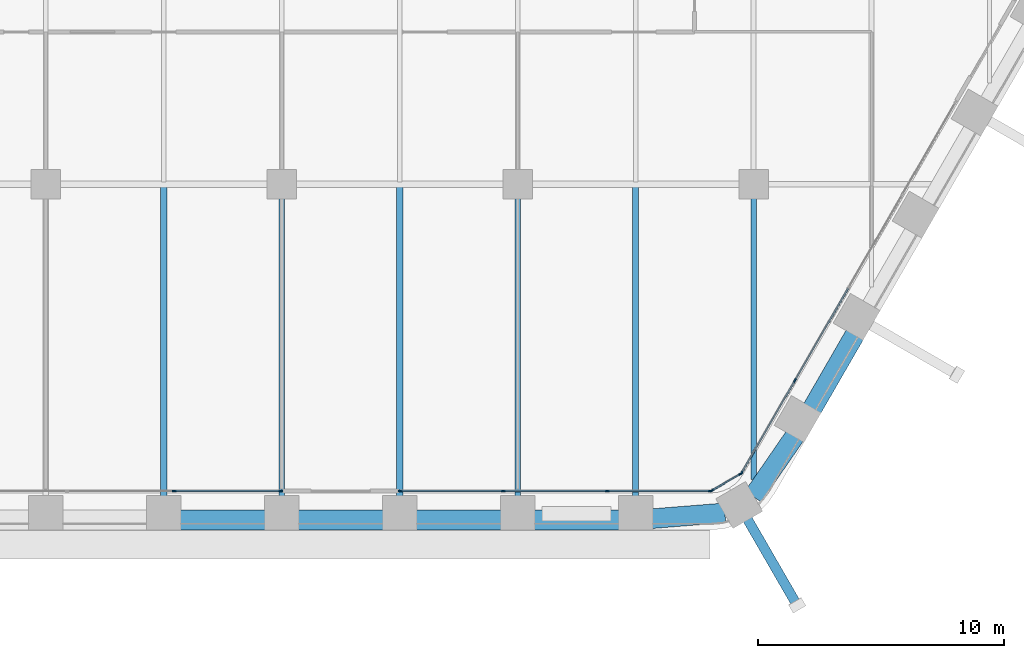
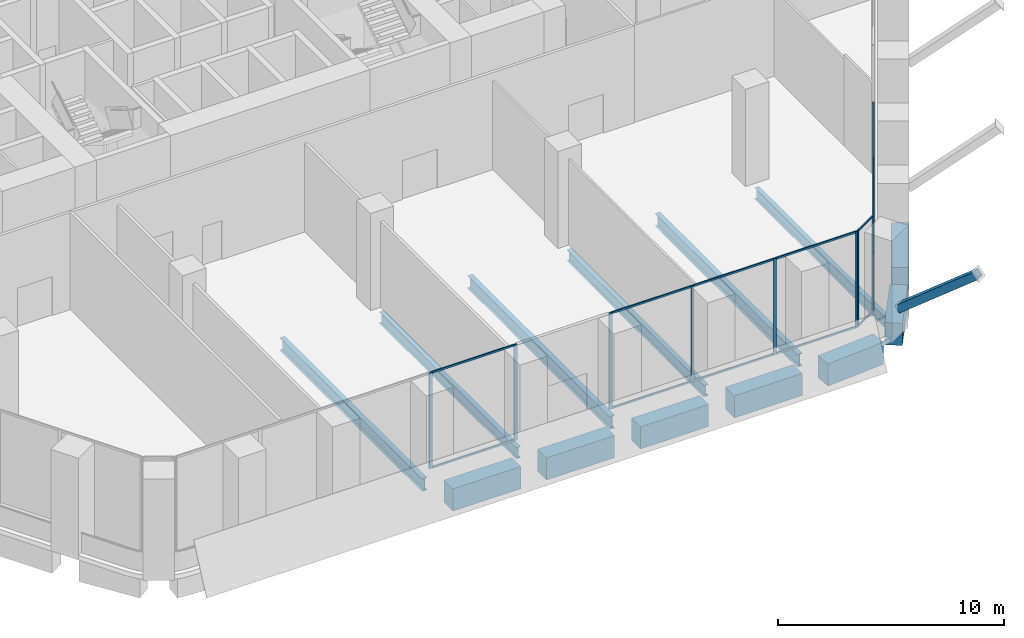
# One storey, part 4 of 29: 25 members, 13 beams, 4 elements without a shape of their own.
"""IFC4 building model written with IfcOpenShell, lengths in metres."""

from ifc_helpers import new_model, si_unit, direction, frame, origin, origin_2d, place, context, subcontext, project, spatial, rectangle, hollow_rectangle, i_section, extrude, material, material_profile, profile_set, type_object, element, aggregate, save


model = new_model("IFC4")

# Units and contexts
model_context = context("Model", 3, precision=1e-05, world=origin(), true_north=direction((0.0, 1.0)))
body_context = subcontext(model_context, "Body", "Model", "MODEL_VIEW")
ifc_project = project(units=[si_unit("LENGTHUNIT", "METRE"), si_unit("AREAUNIT", "SQUARE_METRE"), si_unit("VOLUMEUNIT", "CUBIC_METRE"), si_unit("PLANEANGLEUNIT", "RADIAN"), si_unit("MASSUNIT", "GRAM", prefix="KILO")], contexts=[model_context])

# Site, building, storey
site_placement = place(None, origin())
site = spatial("IfcSite", under=ifc_project, at=site_placement, CompositionType="ELEMENT")
building_placement = place(site_placement, origin())
building = spatial("IfcBuilding", under=site, at=building_placement, Name="Kolab Exchange Tower", CompositionType="ELEMENT")
storey_placement = place(building_placement, frame((0.0, 0.0, 55.39990234375)))
storey = spatial("IfcBuildingStorey", under=building, at=storey_placement, Name="L10", CompositionType="ELEMENT", Elevation=55.39990234375)

# Beams
ifc_material_1 = material(Name="Steel S355", Category="steel")
ifc_material_profile_1 = material_profile(ifc_material_1, i_section(OverallWidth=0.22802734375, OverallDepth=0.60791015625, WebThickness=0.01123046875, FlangeThickness=0.017333984375, at=origin_2d()), Name="W610X113")
ifc_profile_set_1 = profile_set([ifc_material_profile_1], Name="Steel S355")
beam_type_1 = type_object("IfcBeamType", Name="FLOOR BEAM W610X113", PredefinedType="BEAM", material=ifc_profile_set_1)
for number, where, z_axis, x_axis, name in (
    (1, (0.0, -31.8955078125, -0.553955078125), (0.0, 1.0, 0.0), (-1.0, 0.0, 0.0), "beam/L10/fr/030"),
    (2, (9.60009765625, -31.8955078125, -0.553955078125), (0.0, 1.0, 0.0), (-1.0, 0.0, 0.0), "beam/L10/fr/038"),
):
    element("IfcBeam", number, at=place(storey_placement, frame(where, z_axis=z_axis, x_axis=x_axis)), inside=storey, type_object=beam_type_1, Name=name, PredefinedType="BEAM", context=body_context, shape_type="SweptSolid", body=[
        extrude(i_section(OverallWidth=0.22802734375, OverallDepth=0.60791015625, WebThickness=0.01123046875, FlangeThickness=0.017333984375, at=origin_2d()), origin(), (0.0, 0.0, 1.0), 12.135498046875),
    ])
beam_1_placement = place(storey_placement, frame((19.199951171875, -31.214599609375, -0.553955078125), z_axis=(0.0, 1.0, 0.0), x_axis=(-1.0, 0.0, 0.0)))
element("IfcBeam", 3, at=beam_1_placement, inside=storey, type_object=beam_type_1, Name="beam/L10/fr/046", PredefinedType="BEAM", context=body_context, shape_type="SweptSolid", body=[
    extrude(i_section(OverallWidth=0.22802734375, OverallDepth=0.60791015625, WebThickness=0.01123046875, FlangeThickness=0.017333984375, at=origin_2d()), origin(), (0.0, 0.0, 1.0), 11.45458984375),
])
ifc_material_profile_2 = material_profile(ifc_material_1, i_section(OverallWidth=0.25390625, OverallDepth=0.68408203125, WebThickness=0.012451171875, FlangeThickness=0.018798828125, at=origin_2d()), Name="W690X140")
ifc_profile_set_2 = profile_set([ifc_material_profile_2], Name="Steel S355")
beam_type_2 = type_object("IfcBeamType", Name="FLOOR BEAM W690X140", PredefinedType="BEAM", material=ifc_profile_set_2)
for number, where, z_axis, x_axis, name in (
    (4, (-4.800048828125, -31.8955078125, -0.591796875), (0.0, 1.0, 0.0), (-1.0, 0.0, 0.0), "beam/L10/fr/026"),
    (5, (4.800048828125, -31.8955078125, -0.591796875), (0.0, 1.0, 0.0), (-1.0, 0.0, 0.0), "beam/L10/fr/034"),
    (6, (14.39990234375, -31.8955078125, -0.591796875), (0.0, 1.0, 0.0), (-1.0, 0.0, 0.0), "beam/L10/fr/042"),
):
    element("IfcBeam", number, at=place(storey_placement, frame(where, z_axis=z_axis, x_axis=x_axis)), inside=storey, type_object=beam_type_2, Name=name, PredefinedType="BEAM", context=body_context, shape_type="SweptSolid", body=[
        extrude(i_section(OverallWidth=0.25390625, OverallDepth=0.68408203125, WebThickness=0.012451171875, FlangeThickness=0.018798828125, at=origin_2d()), origin(), (0.0, 0.0, 1.0), 12.6083984375),
    ])

# Member
ifc_material_profile_3 = material_profile(ifc_material_1, hollow_rectangle(XDim=0.39990234375, YDim=0.39990234375, WallThickness=0.02001953125, at=origin_2d()), Name="HSS400X400X20")
ifc_profile_set_3 = profile_set([ifc_material_profile_3], Name="Steel S355")
member_type_1 = type_object("IfcMemberType", Name="LEDGE STRUT HSS400X400X20", PredefinedType="STRUT", material=ifc_profile_set_3)
member_1_placement = place(storey_placement, frame((18.947998046875, -32.81884765625, 1.22802734375), z_axis=(0.39005913672, -0.675602790468, 0.625631472493), x_axis=(0.866025579307, 0.499999695987, 0.0)))
element("IfcMember", 7, at=member_1_placement, inside=storey, type_object=member_type_1, Name="mem/L10/ledge/strut-8", PredefinedType="STRUT", context=body_context, shape_type="SweptSolid", body=[
    extrude(hollow_rectangle(XDim=0.39990234375, YDim=0.39990234375, WallThickness=0.02001953125, at=origin_2d()), origin(), (0.0, 0.0, 1.0), 5.1787109375),
])

# Beams
ifc_material_2 = material(Name="Concrete C80/95", Category="concrete")
ifc_material_profile_4 = material_profile(ifc_material_2, rectangle(XDim=0.800048828125, YDim=1.199951171875, at=origin_2d()), Name="RC800X1200")
ifc_profile_set_4 = profile_set([ifc_material_profile_4], Name="Concrete C80/95")
beam_type_3 = type_object("IfcBeamType", Name="SPANDREL BEAM 800X1200 C80/95", PredefinedType="BEAM", material=ifc_profile_set_4)
beam_2_placement = place(storey_placement, frame((23.323486328125, -25.31298828125, -0.849853515625), z_axis=(-0.499979528911, -0.866037222451, 0.0), x_axis=(0.866037222451, -0.499979528911, 0.0)))
element("IfcBeam", 8, at=beam_2_placement, inside=storey, type_object=beam_type_3, Name="beam/L10/sp/F3-07", PredefinedType="BEAM", context=body_context, shape_type="SweptSolid", body=[
    extrude(rectangle(XDim=0.800048828125, YDim=1.199951171875, at=origin_2d()), origin(), (0.0, 0.0, 1.0), 3.480224609375),
])
beam_3_placement = place(storey_placement, frame((20.8779296875, -29.44384765625, -0.849853515625), z_axis=(-0.567247290755, -0.823547516013, 0.0), x_axis=(0.823547516013, -0.567247290755, 0.0)))
element("IfcBeam", 9, at=beam_3_placement, inside=storey, type_object=beam_type_3, Name="beam/L10/sp/F3-08", PredefinedType="BEAM", context=body_context, shape_type="SweptSolid", body=[
    extrude(rectangle(XDim=0.800048828125, YDim=1.199951171875, at=origin_2d()), origin(), (0.0, 0.0, 1.0), 2.984375),
])
beam_4_placement = place(storey_placement, frame((18.03515625, -32.5654296875, -0.849853515625), z_axis=(-0.996833978278, -0.07951112973, 0.0), x_axis=(0.07951112973, -0.996833978278, 0.0)))
element("IfcBeam", 10, at=beam_4_placement, inside=storey, type_object=beam_type_3, Name="beam/L10/sp/F4-01", PredefinedType="BEAM", context=body_context, shape_type="SweptSolid", body=[
    extrude(rectangle(XDim=0.800048828125, YDim=1.199951171875, at=origin_2d()), origin(), (0.0, 0.0, 1.0), 2.984619140625),
])
for number, where, z_axis, x_axis, name in (
    (11, (13.739990234375, -32.85546875, -0.849853515625), (-1.0, 0.0, 0.0), (0.0, -1.0, 0.0), "beam/L10/sp/F4-02"),
    (12, (8.93994140625, -32.85546875, -0.849853515625), (-1.0, 0.0, 0.0), (0.0, -1.0, 0.0), "beam/L10/sp/F4-03"),
    (13, (4.139892578125, -32.85546875, -0.849853515625), (-1.0, 0.0, 0.0), (0.0, -1.0, 0.0), "beam/L10/sp/F4-04"),
    (14, (-0.659912109375, -32.85546875, -0.849853515625), (-1.0, 0.0, 0.0), (0.0, -1.0, 0.0), "beam/L10/sp/F4-05"),
):
    element("IfcBeam", number, at=place(storey_placement, frame(where, z_axis=z_axis, x_axis=x_axis)), inside=storey, type_object=beam_type_3, Name=name, PredefinedType="BEAM", context=body_context, shape_type="SweptSolid", body=[
        extrude(rectangle(XDim=0.800048828125, YDim=1.199951171875, at=origin_2d()), origin(), (0.0, 0.0, 1.0), 3.47998046875),
    ])

# Curtain wall, members
ifc_material_3 = material(Name="Aluminium EN AW-6063 T6", Category="aluminium")
curtain_wall_type = type_object("IfcCurtainWallType", Name="UNITISED LOW ZONE CURTAIN WALL", PredefinedType="NOTDEFINED", material=ifc_material_3)
curtain_wall_1_placement = place(storey_placement, origin())
curtain_wall_1 = element("IfcCurtainWall", 15, at=curtain_wall_1_placement, inside=storey, type_object=curtain_wall_type, Name="cw/L10/F3-2", PredefinedType="NOTDEFINED")
ifc_material_profile_5 = material_profile(ifc_material_3, rectangle(XDim=0.06005859375, YDim=0.159912109375, at=origin_2d()), Name="RECT 60X160")
ifc_profile_set_5 = profile_set([ifc_material_profile_5], Name="Aluminium EN AW-6063 T6")
member_type_2 = type_object("IfcMemberType", Name="UNITISED LOW ZONE MULLION 60 X 160", PredefinedType="MULLION", material=ifc_profile_set_5)
member_2_placement = place(storey_placement, frame((20.881103515625, -27.183349609375, 0.0), z_axis=(0.0, 0.0, 1.0), x_axis=(0.866025397318, -0.5000000112, 0.0)))
member_2 = element("IfcMember", 16, at=member_2_placement, type_object=member_type_2, Name="CW1 mullion 4", PredefinedType="MULLION", context=body_context, shape_type="SweptSolid", body=[
    extrude(rectangle(XDim=0.06005859375, YDim=0.159912109375, at=origin_2d()), origin(), (0.0, 0.0, 1.0), 5.2001953125),
])
member_3_placement = place(storey_placement, frame((18.712646484375, -30.939453125, 0.0), z_axis=(0.0, 0.0, 1.0), x_axis=(0.866025397318, -0.5000000112, 0.0)))
member_3 = element("IfcMember", 17, at=member_3_placement, type_object=member_type_2, Name="CW1 mullion 5", PredefinedType="MULLION", context=body_context, shape_type="SweptSolid", body=[
    extrude(rectangle(XDim=0.06005859375, YDim=0.159912109375, at=origin_2d()), origin(), (0.0, 0.0, 1.0), 5.2001953125),
])

curtain_wall_2_placement = place(storey_placement, origin())
curtain_wall_2 = element("IfcCurtainWall", 18, at=curtain_wall_2_placement, inside=storey, type_object=curtain_wall_type, Name="cw/L10/F4-1", PredefinedType="NOTDEFINED")
member_4_placement = place(storey_placement, frame((17.43798828125, -31.67529296875, 0.0), z_axis=(0.0, 0.0, 1.0), x_axis=(0.0, -1.0, 0.0)))
member_4 = element("IfcMember", 19, at=member_4_placement, type_object=member_type_2, Name="CW1 mullion 1", PredefinedType="MULLION", context=body_context, shape_type="SweptSolid", body=[
    extrude(rectangle(XDim=0.06005859375, YDim=0.159912109375, at=origin_2d()), origin(), (0.0, 0.0, 1.0), 5.2001953125),
])
member_5_placement = place(storey_placement, frame((13.245361328125, -31.67529296875, 0.0), z_axis=(0.0, 0.0, 1.0), x_axis=(0.0, -1.0, 0.0)))
member_5 = element("IfcMember", 20, at=member_5_placement, type_object=member_type_2, Name="CW1 mullion 2", PredefinedType="MULLION", context=body_context, shape_type="SweptSolid", body=[
    extrude(rectangle(XDim=0.06005859375, YDim=0.159912109375, at=origin_2d()), origin(), (0.0, 0.0, 1.0), 5.2001953125),
])
member_6_placement = place(storey_placement, frame((9.022705078125, -31.67529296875, 0.0), z_axis=(0.0, 0.0, 1.0), x_axis=(0.0, -1.0, 0.0)))
member_6 = element("IfcMember", 21, at=member_6_placement, type_object=member_type_2, Name="CW1 mullion 3", PredefinedType="MULLION", context=body_context, shape_type="SweptSolid", body=[
    extrude(rectangle(XDim=0.06005859375, YDim=0.159912109375, at=origin_2d()), origin(), (0.0, 0.0, 1.0), 5.2001953125),
])
member_7_placement = place(storey_placement, frame((4.830078125, -31.67529296875, 0.0), z_axis=(0.0, 0.0, 1.0), x_axis=(0.0, -1.0, 0.0)))
member_7 = element("IfcMember", 22, at=member_7_placement, type_object=member_type_2, Name="CW1 mullion 4", PredefinedType="MULLION", context=body_context, shape_type="SweptSolid", body=[
    extrude(rectangle(XDim=0.06005859375, YDim=0.159912109375, at=origin_2d()), origin(), (0.0, 0.0, 1.0), 5.2001953125),
])

curtain_wall_3_placement = place(storey_placement, origin())
curtain_wall_3 = element("IfcCurtainWall", 23, at=curtain_wall_3_placement, inside=storey, type_object=curtain_wall_type, Name="cw/L10/F4-2", PredefinedType="NOTDEFINED")
member_8_placement = place(storey_placement, frame((-0.030029296875, -31.67529296875, 0.0), z_axis=(0.0, 0.0, 1.0), x_axis=(0.0, -1.0, 0.0)))
member_8 = element("IfcMember", 24, at=member_8_placement, type_object=member_type_2, Name="CW1 mullion 1", PredefinedType="MULLION", context=body_context, shape_type="SweptSolid", body=[
    extrude(rectangle(XDim=0.06005859375, YDim=0.159912109375, at=origin_2d()), origin(), (0.0, 0.0, 1.0), 5.2001953125),
])
member_9_placement = place(storey_placement, frame((-4.366943359375, -31.67529296875, 0.0), z_axis=(0.0, 0.0, 1.0), x_axis=(0.0, -1.0, 0.0)))
member_9 = element("IfcMember", 25, at=member_9_placement, type_object=member_type_2, Name="CW1 mullion 2", PredefinedType="MULLION", context=body_context, shape_type="SweptSolid", body=[
    extrude(rectangle(XDim=0.06005859375, YDim=0.159912109375, at=origin_2d()), origin(), (0.0, 0.0, 1.0), 5.2001953125),
])

curtain_wall_4_placement = place(storey_placement, origin())
curtain_wall_4 = element("IfcCurtainWall", 26, at=curtain_wall_4_placement, inside=storey, type_object=curtain_wall_type, Name="cw/L10/F3F4-corner", PredefinedType="NOTDEFINED")
member_10_placement = place(storey_placement, frame((18.671630859375, -30.98046875, 0.0), z_axis=(0.0, 0.0, 1.0), x_axis=(0.50000002237, -0.866025390869, 0.0)))
member_10 = element("IfcMember", 27, at=member_10_placement, type_object=member_type_2, Name="CW1 mullion 1", PredefinedType="MULLION", context=body_context, shape_type="SweptSolid", body=[
    extrude(rectangle(XDim=0.06005859375, YDim=0.159912109375, at=origin_2d()), origin(), (0.0, 0.0, 1.0), 5.2001953125),
])
member_11_placement = place(storey_placement, frame((17.493896484375, -31.660400390625, 0.0), z_axis=(0.0, 0.0, 1.0), x_axis=(0.50000002237, -0.866025390869, 0.0)))
member_11 = element("IfcMember", 28, at=member_11_placement, type_object=member_type_2, Name="CW1 mullion 2", PredefinedType="MULLION", context=body_context, shape_type="SweptSolid", body=[
    extrude(rectangle(XDim=0.06005859375, YDim=0.159912109375, at=origin_2d()), origin(), (0.0, 0.0, 1.0), 5.2001953125),
])

# Member
ifc_material_profile_6 = material_profile(ifc_material_3, rectangle(XDim=0.06005859375, YDim=0.10009765625, at=origin_2d()), Name="RECT 60X100")
ifc_profile_set_6 = profile_set([ifc_material_profile_6], Name="Aluminium EN AW-6063 T6")
member_type_3 = type_object("IfcMemberType", Name="UNITISED LOW ZONE TRANSOM 60 X 100", PredefinedType="USERDEFINED", material=ifc_profile_set_6)
member_12_placement = place(storey_placement, frame((23.0498046875, -23.427490234375, 0.030029296875), z_axis=(-0.500010313095, -0.866019449435, 0.0), x_axis=(0.866019449435, -0.500010313095, 0.0)))
member_12 = element("IfcMember", 29, at=member_12_placement, type_object=member_type_3, Name="CW1 transom 3.1", ObjectType="TRANSOM", PredefinedType="USERDEFINED", context=body_context, shape_type="SweptSolid", body=[
    extrude(rectangle(XDim=0.06005859375, YDim=0.10009765625, at=origin_2d()), origin(), (0.0, 0.0, 1.0), 4.30712890625),
])

member_13_placement = place(storey_placement, frame((23.0498046875, -23.427490234375, 5.170166015625), z_axis=(-0.500010313095, -0.866019449435, 0.0), x_axis=(0.866019449435, -0.500010313095, 0.0)))
member_13 = element("IfcMember", 30, at=member_13_placement, type_object=member_type_3, Name="CW1 transom 3.2", ObjectType="TRANSOM", PredefinedType="USERDEFINED", context=body_context, shape_type="SweptSolid", body=[
    extrude(rectangle(XDim=0.06005859375, YDim=0.10009765625, at=origin_2d()), origin(), (0.0, 0.0, 1.0), 4.30712890625),
])

member_14_placement = place(storey_placement, frame((20.8662109375, -27.20947265625, 0.030029296875), z_axis=(-0.500000816281, -0.866024932504, 0.0), x_axis=(0.866024932504, -0.500000816281, 0.0)))
member_14 = element("IfcMember", 31, at=member_14_placement, type_object=member_type_3, Name="CW1 transom 4.1", ObjectType="TRANSOM", PredefinedType="USERDEFINED", context=body_context, shape_type="SweptSolid", body=[
    extrude(rectangle(XDim=0.06005859375, YDim=0.10009765625, at=origin_2d()), origin(), (0.0, 0.0, 1.0), 4.27685546875),
])

member_15_placement = place(storey_placement, frame((20.8662109375, -27.20947265625, 5.170166015625), z_axis=(-0.500000816281, -0.866024932504, 0.0), x_axis=(0.866024932504, -0.500000816281, 0.0)))
member_15 = element("IfcMember", 32, at=member_15_placement, type_object=member_type_3, Name="CW1 transom 4.2", ObjectType="TRANSOM", PredefinedType="USERDEFINED", context=body_context, shape_type="SweptSolid", body=[
    extrude(rectangle(XDim=0.06005859375, YDim=0.10009765625, at=origin_2d()), origin(), (0.0, 0.0, 1.0), 4.27685546875),
])

aggregate(curtain_wall_1, [member_2, member_3, member_12, member_13, member_14, member_15])

member_16_placement = place(storey_placement, frame((17.407958984375, -31.67529296875, 0.030029296875), z_axis=(-1.0, 0.0, 0.0), x_axis=(0.0, -1.0, 0.0)))
member_16 = element("IfcMember", 33, at=member_16_placement, type_object=member_type_3, Name="CW1 transom 1.1", ObjectType="TRANSOM", PredefinedType="USERDEFINED", context=body_context, shape_type="SweptSolid", body=[
    extrude(rectangle(XDim=0.06005859375, YDim=0.10009765625, at=origin_2d()), origin(), (0.0, 0.0, 1.0), 4.132568359375),
])

member_17_placement = place(storey_placement, frame((17.407958984375, -31.67529296875, 5.170166015625), z_axis=(-1.0, 0.0, 0.0), x_axis=(0.0, -1.0, 0.0)))
member_17 = element("IfcMember", 34, at=member_17_placement, type_object=member_type_3, Name="CW1 transom 1.2", ObjectType="TRANSOM", PredefinedType="USERDEFINED", context=body_context, shape_type="SweptSolid", body=[
    extrude(rectangle(XDim=0.06005859375, YDim=0.10009765625, at=origin_2d()), origin(), (0.0, 0.0, 1.0), 4.132568359375),
])

member_18_placement = place(storey_placement, frame((13.21533203125, -31.67529296875, 0.030029296875), z_axis=(-1.0, 0.0, 0.0), x_axis=(0.0, -1.0, 0.0)))
member_18 = element("IfcMember", 35, at=member_18_placement, type_object=member_type_3, Name="CW1 transom 2.1", ObjectType="TRANSOM", PredefinedType="USERDEFINED", context=body_context, shape_type="SweptSolid", body=[
    extrude(rectangle(XDim=0.06005859375, YDim=0.10009765625, at=origin_2d()), origin(), (0.0, 0.0, 1.0), 4.16259765625),
])

member_19_placement = place(storey_placement, frame((13.21533203125, -31.67529296875, 5.170166015625), z_axis=(-1.0, 0.0, 0.0), x_axis=(0.0, -1.0, 0.0)))
member_19 = element("IfcMember", 36, at=member_19_placement, type_object=member_type_3, Name="CW1 transom 2.2", ObjectType="TRANSOM", PredefinedType="USERDEFINED", context=body_context, shape_type="SweptSolid", body=[
    extrude(rectangle(XDim=0.06005859375, YDim=0.10009765625, at=origin_2d()), origin(), (0.0, 0.0, 1.0), 4.16259765625),
])

member_20_placement = place(storey_placement, frame((8.99267578125, -31.67529296875, 0.030029296875), z_axis=(-1.0, 0.0, 0.0), x_axis=(0.0, -1.0, 0.0)))
member_20 = element("IfcMember", 37, at=member_20_placement, type_object=member_type_3, Name="CW1 transom 3.1", ObjectType="TRANSOM", PredefinedType="USERDEFINED", context=body_context, shape_type="SweptSolid", body=[
    extrude(rectangle(XDim=0.06005859375, YDim=0.10009765625, at=origin_2d()), origin(), (0.0, 0.0, 1.0), 4.132568359375),
])

member_21_placement = place(storey_placement, frame((8.99267578125, -31.67529296875, 5.170166015625), z_axis=(-1.0, 0.0, 0.0), x_axis=(0.0, -1.0, 0.0)))
member_21 = element("IfcMember", 38, at=member_21_placement, type_object=member_type_3, Name="CW1 transom 3.2", ObjectType="TRANSOM", PredefinedType="USERDEFINED", context=body_context, shape_type="SweptSolid", body=[
    extrude(rectangle(XDim=0.06005859375, YDim=0.10009765625, at=origin_2d()), origin(), (0.0, 0.0, 1.0), 4.132568359375),
])

aggregate(curtain_wall_2, [member_4, member_5, member_6, member_7, member_16, member_17, member_18, member_19, member_20, member_21])

member_22_placement = place(storey_placement, frame((-0.06005859375, -31.67529296875, 0.030029296875), z_axis=(-1.0, 0.0, 0.0), x_axis=(0.0, -1.0, 0.0)))
member_22 = element("IfcMember", 39, at=member_22_placement, type_object=member_type_3, Name="CW1 transom 1.1", ObjectType="TRANSOM", PredefinedType="USERDEFINED", context=body_context, shape_type="SweptSolid", body=[
    extrude(rectangle(XDim=0.06005859375, YDim=0.10009765625, at=origin_2d()), origin(), (0.0, 0.0, 1.0), 4.27685546875),
])

member_23_placement = place(storey_placement, frame((-0.06005859375, -31.67529296875, 5.170166015625), z_axis=(-1.0, 0.0, 0.0), x_axis=(0.0, -1.0, 0.0)))
member_23 = element("IfcMember", 40, at=member_23_placement, type_object=member_type_3, Name="CW1 transom 1.2", ObjectType="TRANSOM", PredefinedType="USERDEFINED", context=body_context, shape_type="SweptSolid", body=[
    extrude(rectangle(XDim=0.06005859375, YDim=0.10009765625, at=origin_2d()), origin(), (0.0, 0.0, 1.0), 4.27685546875),
])

aggregate(curtain_wall_3, [member_8, member_9, member_22, member_23])

member_24_placement = place(storey_placement, frame((18.645751953125, -30.995361328125, 0.030029296875), z_axis=(-0.86603858612, -0.49997716683, 0.0), x_axis=(0.49997716683, -0.86603858612, 0.0)))
member_24 = element("IfcMember", 41, at=member_24_placement, type_object=member_type_3, Name="CW1 transom 1.1", ObjectType="TRANSOM", PredefinedType="USERDEFINED", context=body_context, shape_type="SweptSolid", body=[
    extrude(rectangle(XDim=0.06005859375, YDim=0.10009765625, at=origin_2d()), origin(), (0.0, 0.0, 1.0), 1.2998046875),
])

member_25_placement = place(storey_placement, frame((18.645751953125, -30.995361328125, 5.170166015625), z_axis=(-0.86603858612, -0.49997716683, 0.0), x_axis=(0.49997716683, -0.86603858612, 0.0)))
member_25 = element("IfcMember", 42, at=member_25_placement, type_object=member_type_3, Name="CW1 transom 1.2", ObjectType="TRANSOM", PredefinedType="USERDEFINED", context=body_context, shape_type="SweptSolid", body=[
    extrude(rectangle(XDim=0.06005859375, YDim=0.10009765625, at=origin_2d()), origin(), (0.0, 0.0, 1.0), 1.2998046875),
])

aggregate(curtain_wall_4, [member_10, member_11, member_24, member_25])

save(model, "model.ifc")
